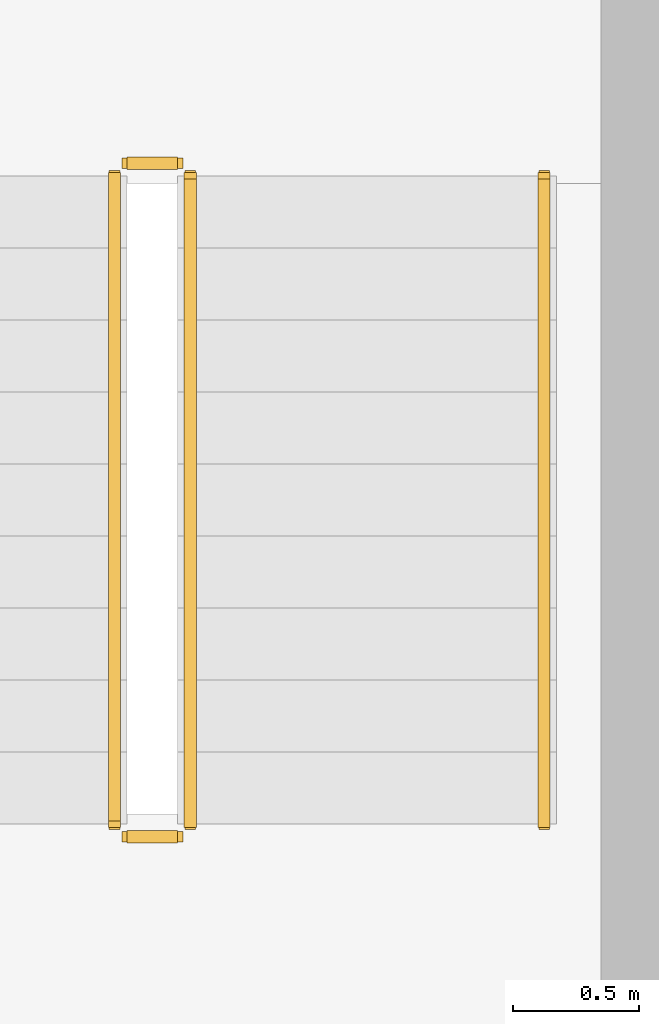
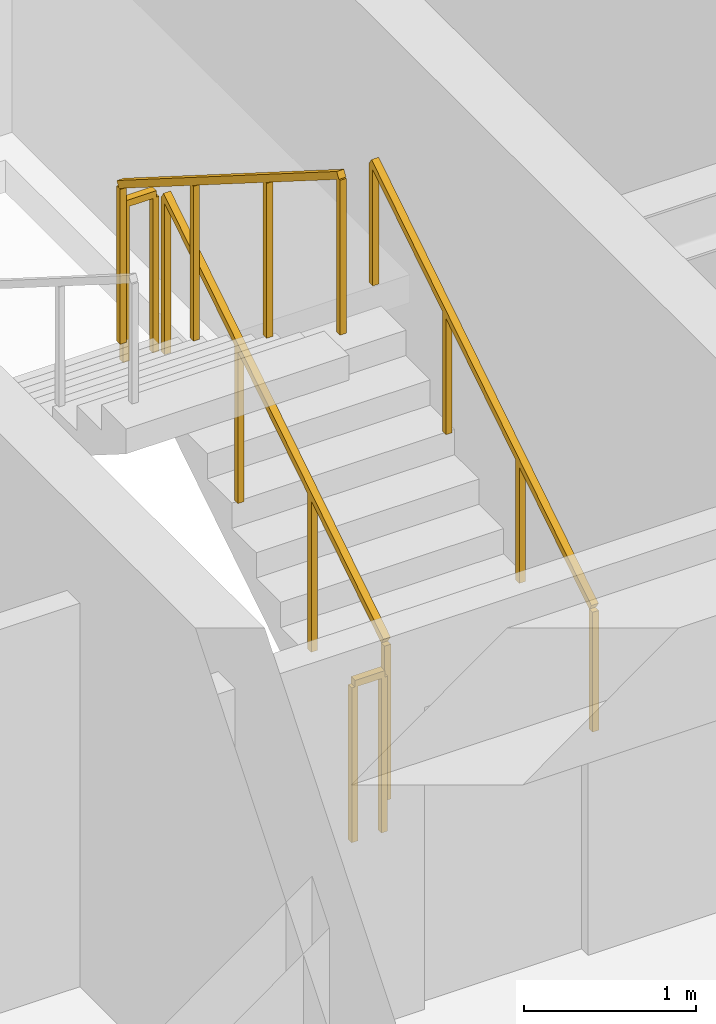
# One storey, part 22 of 22: 5 railings.
"""IFC4 building model written with IfcOpenShell, lengths in metres."""

from ifc_helpers import new_model, si_unit, direction, frame, origin, origin_2d, place, context, subcontext, project, spatial, rectangle, extrude, material, type_object, element, save


model = new_model("IFC4")

# Units and contexts
model_context = context("Model", 3, precision=1e-05, world=origin(), true_north=direction((0.0, 1.0)))
body_context = subcontext(model_context, "Body", "Model", "MODEL_VIEW")
ifc_project = project(units=[si_unit("LENGTHUNIT", "METRE"), si_unit("AREAUNIT", "SQUARE_METRE"), si_unit("VOLUMEUNIT", "CUBIC_METRE"), si_unit("PLANEANGLEUNIT", "RADIAN"), si_unit("MASSUNIT", "GRAM", prefix="KILO")], contexts=[model_context])

# Site, building, storey
site_placement = place(None, origin())
site = spatial("IfcSite", under=ifc_project, at=site_placement, CompositionType="ELEMENT")
building_placement = place(site_placement, origin())
building = spatial("IfcBuilding", under=site, at=building_placement, Name="Sarneth Arch Tower", CompositionType="ELEMENT")
storey_placement = place(building_placement, frame((0.0, 0.0, 283.800048828125)))
storey = spatial("IfcBuildingStorey", under=building, at=storey_placement, Name="L73", CompositionType="ELEMENT", Elevation=283.800048828125)

# Railings
ifc_material_1 = material(Name="Brushed Stainless Steel 304 tubular handrail", Category="steel")
railing_type_1 = type_object("IfcRailingType", Name="RAIL-HANDRAIL-900", PredefinedType="HANDRAIL", material=ifc_material_1)
railing_1_placement = place(storey_placement, frame((58.60009765625, 41.449951171875, 0.179931640625)))
element("IfcRailing", 1, at=railing_1_placement, inside=storey, type_object=railing_type_1, Name="L73 ST-2 stair handrail 1", PredefinedType="HANDRAIL", context=body_context, shape_type="SweptSolid", body=[
    extrude(rectangle(XDim=0.048095703125, YDim=0.048095703125, at=origin_2d()), frame((0.0, 0.0, 0.8759765625), z_axis=(0.0, 0.845465955043, 0.534029323973), x_axis=(-1.0, 0.0, 0.0)), (0.0, 0.0, 1.0), 3.03369140625),
    extrude(rectangle(XDim=0.0419921875, YDim=0.0419921875, at=origin_2d()), origin(), (0.0, 0.0, 1.0), 0.851806640625),
    extrude(rectangle(XDim=0.0419921875, YDim=0.0419921875, at=origin_2d()), frame((0.0, 0.85498046875, 0.5400390625)), (0.0, 0.0, 1.0), 0.851806640625),
    extrude(rectangle(XDim=0.0419921875, YDim=0.0419921875, at=origin_2d()), frame((0.0, 1.7099609375, 1.080078125)), (0.0, 0.0, 1.0), 0.851806640625),
    extrude(rectangle(XDim=0.0419921875, YDim=0.0419921875, at=origin_2d()), frame((0.0, 2.56494140625, 1.6201171875)), (0.0, 0.0, 1.0), 0.851806640625),
])
ifc_material_2 = material(Name="Painted Steel S275 stair well guard", Category="steel")
railing_type_2 = type_object("IfcRailingType", Name="RAIL-STAIR-GUARD", PredefinedType="GUARDRAIL", material=ifc_material_2)
railing_2_placement = place(storey_placement, frame((57.199951171875, 41.449951171875, 0.179931640625)))
element("IfcRailing", 2, at=railing_2_placement, inside=storey, type_object=railing_type_2, Name="L73 ST-2 stair guard 1", PredefinedType="GUARDRAIL", context=body_context, shape_type="SweptSolid", body=[
    extrude(rectangle(XDim=0.048095703125, YDim=0.048095703125, at=origin_2d()), frame((0.0, 0.0, 1.1259765625), z_axis=(0.0, 0.845465955043, 0.534029323973), x_axis=(-1.0, 0.0, 0.0)), (0.0, 0.0, 1.0), 3.03369140625),
    extrude(rectangle(XDim=0.0419921875, YDim=0.0419921875, at=origin_2d()), origin(), (0.0, 0.0, 1.0), 1.101806640625),
    extrude(rectangle(XDim=0.0419921875, YDim=0.0419921875, at=origin_2d()), frame((0.0, 0.85498046875, 0.5400390625)), (0.0, 0.0, 1.0), 1.101806640625),
    extrude(rectangle(XDim=0.0419921875, YDim=0.0419921875, at=origin_2d()), frame((0.0, 1.7099609375, 1.080078125)), (0.0, 0.0, 1.0), 1.101806640625),
    extrude(rectangle(XDim=0.0419921875, YDim=0.0419921875, at=origin_2d()), frame((0.0, 2.56494140625, 1.6201171875)), (0.0, 0.0, 1.0), 1.101806640625),
])
railing_3_placement = place(storey_placement, frame((57.14990234375, 44.06494140625, 1.800048828125)))
element("IfcRailing", 3, at=railing_3_placement, inside=storey, type_object=railing_type_2, Name="L73 ST-2 stair guard 2", PredefinedType="GUARDRAIL", context=body_context, shape_type="SweptSolid", body=[
    extrude(rectangle(XDim=0.048095703125, YDim=0.048095703125, at=origin_2d()), frame((0.0, 0.0, 1.1259765625), z_axis=(-1.0, 0.0, 0.0), x_axis=(0.0, -1.0, 0.0)), (0.0, 0.0, 1.0), 0.199951171875),
    extrude(rectangle(XDim=0.0419921875, YDim=0.0419921875, at=origin_2d()), origin(), (0.0, 0.0, 1.0), 1.101806640625),
    extrude(rectangle(XDim=0.0419921875, YDim=0.0419921875, at=origin_2d()), frame((-0.199951171875, 0.0, 0.0)), (0.0, 0.0, 1.0), 1.101806640625),
])
railing_4_placement = place(storey_placement, frame((56.89990234375, 44.014892578125, 1.97998046875)))
element("IfcRailing", 4, at=railing_4_placement, inside=storey, type_object=railing_type_2, Name="L73 ST-2 stair guard 3", PredefinedType="GUARDRAIL", context=body_context, shape_type="SweptSolid", body=[
    extrude(rectangle(XDim=0.048095703125, YDim=0.048095703125, at=origin_2d()), frame((0.0, 0.0, 1.1259765625), z_axis=(0.0, -0.845502289212, 0.533971796014), x_axis=(1.0, 0.0, 0.0)), (0.0, 0.0, 1.0), 3.03369140625),
    extrude(rectangle(XDim=0.0419921875, YDim=0.0419921875, at=origin_2d()), origin(), (0.0, 0.0, 1.0), 1.101806640625),
    extrude(rectangle(XDim=0.0419921875, YDim=0.0419921875, at=origin_2d()), frame((0.0, -0.85498046875, 0.5400390625)), (0.0, 0.0, 1.0), 1.101806640625),
    extrude(rectangle(XDim=0.0419921875, YDim=0.0419921875, at=origin_2d()), frame((0.0, -1.7099609375, 1.079833984375)), (0.0, 0.0, 1.0), 1.101806640625),
    extrude(rectangle(XDim=0.0419921875, YDim=0.0419921875, at=origin_2d()), frame((0.0, -2.56494140625, 1.619873046875)), (0.0, 0.0, 1.0), 1.101806640625),
])
railing_5_placement = place(storey_placement, frame((57.14990234375, 41.39990234375, 0.0)))
element("IfcRailing", 5, at=railing_5_placement, inside=storey, type_object=railing_type_2, Name="L73 ST-2 stair guard 4", PredefinedType="GUARDRAIL", context=body_context, shape_type="SweptSolid", body=[
    extrude(rectangle(XDim=0.048095703125, YDim=0.048095703125, at=origin_2d()), frame((0.0, 0.0, 1.1259765625), z_axis=(-1.0, 0.0, 0.0), x_axis=(0.0, -1.0, 0.0)), (0.0, 0.0, 1.0), 0.199951171875),
    extrude(rectangle(XDim=0.0419921875, YDim=0.0419921875, at=origin_2d()), origin(), (0.0, 0.0, 1.0), 1.101806640625),
    extrude(rectangle(XDim=0.0419921875, YDim=0.0419921875, at=origin_2d()), frame((-0.199951171875, 0.0, 0.0)), (0.0, 0.0, 1.0), 1.101806640625),
])

save(model, "model.ifc")
